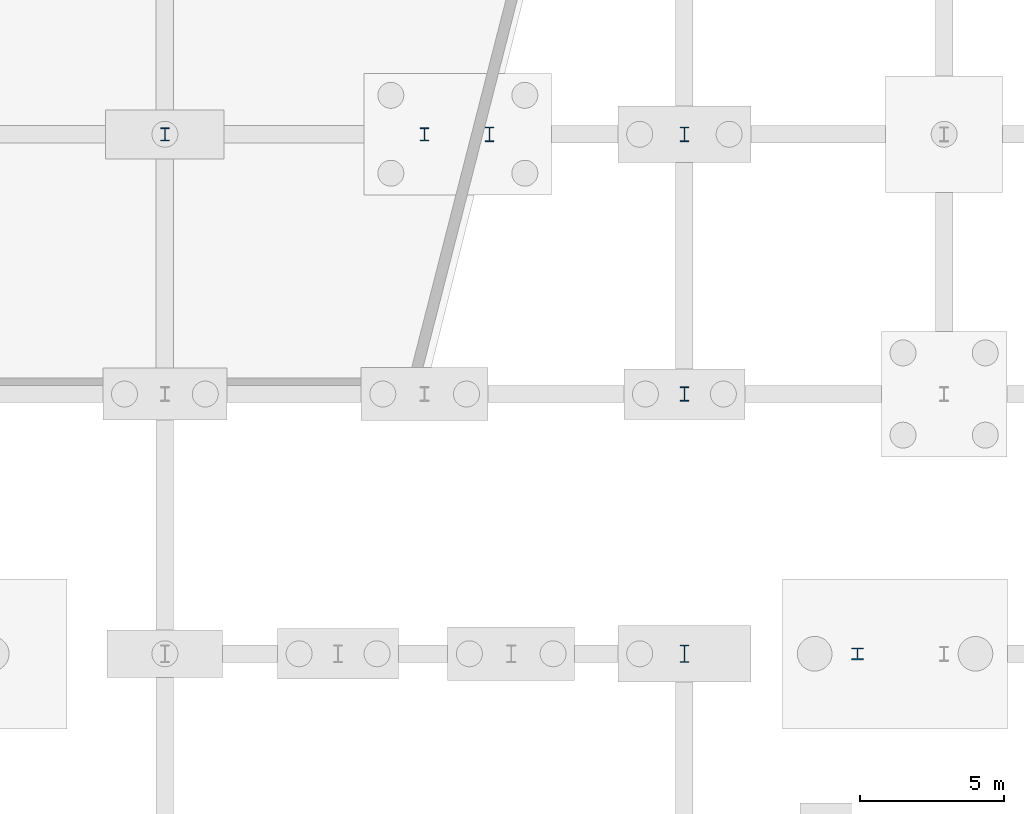
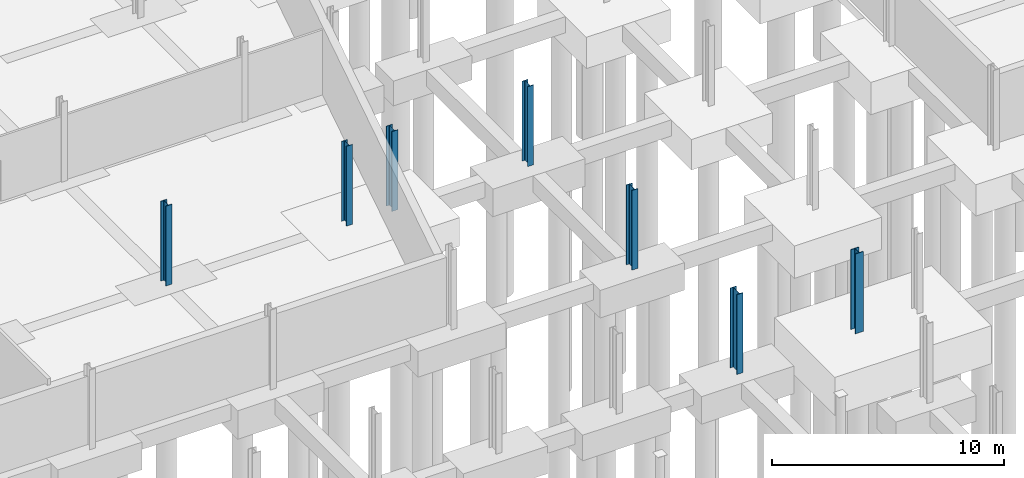
# One storey, part 13 of 42: 7 columns.
"""IFC4 building model written with IfcOpenShell, lengths in metres."""

from ifc_helpers import new_model, si_unit, direction, frame, origin, origin_2d, place, context, subcontext, project, spatial, i_section, extrude, material, material_profile, profile_set, type_object, element, save


model = new_model("IFC4")

# Units and contexts
model_context = context("Model", 3, precision=1e-05, world=origin(), true_north=direction((0.0, 1.0)))
body_context = subcontext(model_context, "Body", "Model", "MODEL_VIEW")
ifc_project = project(units=[si_unit("LENGTHUNIT", "METRE"), si_unit("AREAUNIT", "SQUARE_METRE"), si_unit("VOLUMEUNIT", "CUBIC_METRE"), si_unit("PLANEANGLEUNIT", "RADIAN"), si_unit("MASSUNIT", "GRAM", prefix="KILO")], contexts=[model_context])

# Site, building, storey
site_placement = place(None, origin())
site = spatial("IfcSite", under=ifc_project, at=site_placement, CompositionType="ELEMENT")
building_placement = place(site_placement, origin())
building = spatial("IfcBuilding", under=site, at=building_placement, Name="Deido Ridge Mobility Hub", CompositionType="ELEMENT")
storey_placement = place(building_placement, frame((0.0, 0.0, -4.199951171875)))
storey = spatial("IfcBuildingStorey", under=building, at=storey_placement, Name="B1", CompositionType="ELEMENT", Elevation=-4.199951171875)

# Columns
ifc_material = material(Name="Steel S355J2 EN 10025-2", Category="steel")
ifc_material_profile_1 = material_profile(ifc_material, i_section(OverallWidth=0.406005859375, OverallDepth=0.416015625, WebThickness=0.02392578125, FlangeThickness=0.0390625, FilletRadius=0.014892578125, at=origin_2d()), Name="HD 400x382")
ifc_profile_set_1 = profile_set([ifc_material_profile_1], Name="Steel S355J2 EN 10025-2")
column_type_1 = type_object("IfcColumnType", Name="COL-HD400-382", PredefinedType="COLUMN", material=ifc_profile_set_1)
column_1_placement = place(storey_placement, frame((60.0, 36.0, 0.0), z_axis=(0.0, 0.0, 1.0), x_axis=(1.0, 0.0, 0.0)))
element("IfcColumn", 1, at=column_1_placement, inside=storey, type_object=column_type_1, Name="Structural column MC3", PredefinedType="COLUMN", context=body_context, shape_type="SweptSolid", body=[
    extrude(i_section(OverallWidth=0.406005859375, OverallDepth=0.416015625, WebThickness=0.02392578125, FlangeThickness=0.0390625, FilletRadius=0.014892578125, at=origin_2d()), origin(), (0.0, 0.0, 1.0), 4.199951171875),
])
ifc_material_profile_2 = material_profile(ifc_material, i_section(OverallWidth=0.300048828125, OverallDepth=0.449951171875, WebThickness=0.013916015625, FlangeThickness=0.02587890625, FilletRadius=0.027099609375, at=origin_2d()), Name="HEB 450")
ifc_profile_set_2 = profile_set([ifc_material_profile_2], Name="Steel S355J2 EN 10025-2")
column_type_2 = type_object("IfcColumnType", Name="COL-HEB450", PredefinedType="COLUMN", material=ifc_profile_set_2)
for number, where, z_axis, x_axis, name in (
    (2, (36.0, 54.0, 0.0), (0.0, 0.0, 1.0), (1.0, 0.0, 0.0), "Structural column C6"),
    (3, (45.0, 54.0, 0.0), (0.0, 0.0, 1.0), (1.0, 0.0, 0.0), "Structural column C6"),
):
    element("IfcColumn", number, at=place(storey_placement, frame(where, z_axis=z_axis, x_axis=x_axis)), inside=storey, type_object=column_type_2, Name=name, PredefinedType="COLUMN", context=body_context, shape_type="SweptSolid", body=[
        extrude(i_section(OverallWidth=0.300048828125, OverallDepth=0.449951171875, WebThickness=0.013916015625, FlangeThickness=0.02587890625, FilletRadius=0.027099609375, at=origin_2d()), origin(), (0.0, 0.0, 1.0), 4.199951171875),
    ])
ifc_material_profile_3 = material_profile(ifc_material, i_section(OverallWidth=0.300048828125, OverallDepth=0.5, WebThickness=0.014404296875, FlangeThickness=0.028076171875, FilletRadius=0.027099609375, at=origin_2d()), Name="HEB 500")
ifc_profile_set_3 = profile_set([ifc_material_profile_3], Name="Steel S355J2 EN 10025-2")
column_type_3 = type_object("IfcColumnType", Name="COL-HEB500", PredefinedType="COLUMN", material=ifc_profile_set_3)
for number, where, z_axis, x_axis, name in (
    (4, (47.25, 54.0, 0.0), (0.0, 0.0, 1.0), (1.0, 0.0, 0.0), "Structural column C5"),
    (5, (54.0, 54.0, 0.0), (0.0, 0.0, 1.0), (1.0, 0.0, 0.0), "Structural column C5"),
    (6, (54.0, 45.0, 0.0), (0.0, 0.0, 1.0), (1.0, 0.0, 0.0), "Structural column C5"),
):
    element("IfcColumn", number, at=place(storey_placement, frame(where, z_axis=z_axis, x_axis=x_axis)), inside=storey, type_object=column_type_3, Name=name, PredefinedType="COLUMN", context=body_context, shape_type="SweptSolid", body=[
        extrude(i_section(OverallWidth=0.300048828125, OverallDepth=0.5, WebThickness=0.014404296875, FlangeThickness=0.028076171875, FilletRadius=0.027099609375, at=origin_2d()), origin(), (0.0, 0.0, 1.0), 4.199951171875),
    ])
ifc_material_profile_4 = material_profile(ifc_material, i_section(OverallWidth=0.300048828125, OverallDepth=0.60009765625, WebThickness=0.015380859375, FlangeThickness=0.030029296875, FilletRadius=0.027099609375, at=origin_2d()), Name="HEB 600")
ifc_profile_set_4 = profile_set([ifc_material_profile_4], Name="Steel S355J2 EN 10025-2")
column_type_4 = type_object("IfcColumnType", Name="COL-HEB600", PredefinedType="COLUMN", material=ifc_profile_set_4)
column_2_placement = place(storey_placement, frame((54.0, 36.0, 0.0), z_axis=(0.0, 0.0, 1.0), x_axis=(1.0, 0.0, 0.0)))
element("IfcColumn", 7, at=column_2_placement, inside=storey, type_object=column_type_4, Name="Structural column C4", PredefinedType="COLUMN", context=body_context, shape_type="SweptSolid", body=[
    extrude(i_section(OverallWidth=0.300048828125, OverallDepth=0.60009765625, WebThickness=0.015380859375, FlangeThickness=0.030029296875, FilletRadius=0.027099609375, at=origin_2d()), origin(), (0.0, 0.0, 1.0), 4.199951171875),
])

save(model, "model.ifc")
